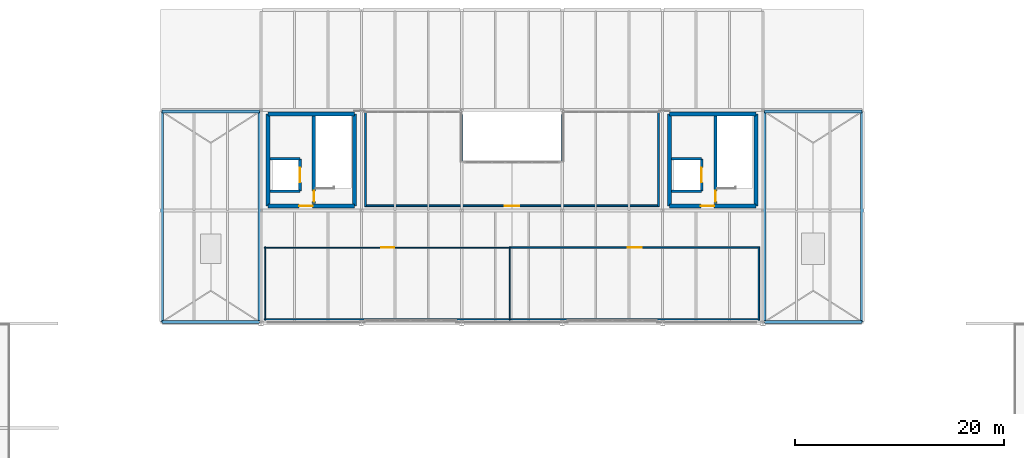
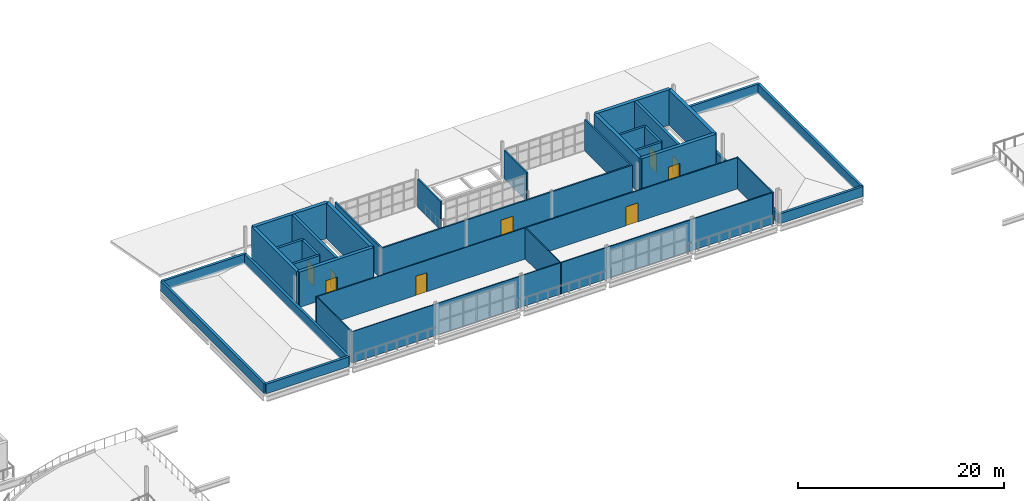
# One storey, part 46 of 58: 36 walls, 9 doors, 9 openings.
"""IFC4 building model written with IfcOpenShell, lengths in metres."""

from ifc_helpers import new_model, si_unit, direction, frame, frame_2d, origin, place, context, subcontext, project, spatial, rectangle, extrude, material, layer, layer_set, type_object, element, fill, save


model = new_model("IFC4")

# Units and contexts
model_context = context("Model", 3, precision=1e-05, world=origin(), true_north=direction((0.0, 1.0)))
body_context = subcontext(model_context, "Body", "Model", "MODEL_VIEW")
ifc_project = project(units=[si_unit("LENGTHUNIT", "METRE"), si_unit("AREAUNIT", "SQUARE_METRE"), si_unit("VOLUMEUNIT", "CUBIC_METRE"), si_unit("PLANEANGLEUNIT", "RADIAN"), si_unit("MASSUNIT", "GRAM", prefix="KILO")], contexts=[model_context])

# Site, building, storey
site_placement = place(None, origin())
site = spatial("IfcSite", under=ifc_project, at=site_placement, CompositionType="ELEMENT")
building_placement = place(site_placement, origin())
building = spatial("IfcBuilding", under=site, at=building_placement, Name="Yeouljin Market Hall", CompositionType="ELEMENT")
storey_placement = place(building_placement, frame((0.0, 0.0, 10.800048828125)))
storey = spatial("IfcBuildingStorey", under=building, at=storey_placement, Name="L02", CompositionType="ELEMENT", Elevation=10.800048828125)

# Wall, opening, door
ifc_material_1 = material(Name="Gypsum Board Acoustic Partition")
ifc_layer_1 = layer(ifc_material_1, 0.169921875)
ifc_layer_set_1 = layer_set([ifc_layer_1], Name="Gypsum Board Acoustic Partition")
wall_type_1 = type_object("IfcWallType", Name="Part_Acoustic_170", PredefinedType="PARTITIONING", material=ifc_layer_set_1)
wall_1_placement = place(storey_placement, frame((74.1201171875, 89.25, 0.0), z_axis=(0.0, 0.0, 1.0), x_axis=(1.0, 0.0, 0.0)))
wall_1 = element("IfcWall", 1, at=wall_1_placement, inside=storey, type_object=wall_type_1, Name="Interior partition PART-L02-0137", PredefinedType="PARTITIONING", context=body_context, shape_type="SweptSolid", body=[
    extrude(rectangle(XDim=28.159912109375, YDim=0.169921875, at=frame_2d((14.080078125, 0.0))), origin(), (0.0, 0.0, 1.0), 3.719970703125),
])
opening_1_placement = place(wall_1_placement, frame((13.389892578125, 0.0, 0.0)))
opening_1 = element("IfcOpeningElement", 2, at=opening_1_placement, cuts=wall_1, Name="Opening D-L02-043", PredefinedType="OPENING", context=body_context, shape_type="SweptSolid", body=[
    extrude(rectangle(XDim=1.3798828125, YDim=2.360107421875, at=frame_2d((0.68994140625, 1.18017578125))), frame((0.0, 0.094970703125, 0.0), z_axis=(0.0, -1.0, 0.0), x_axis=(1.0, 0.0, 0.0)), (0.0, 0.0, 1.0), 0.18994140625),
])
ifc_material_2 = material(Name="Acoustic Timber Veneer", Category="wood")
door_type_1 = type_object("IfcDoorType", Name="DT-ID138T", OperationType="NOTDEFINED", PredefinedType="DOOR", material=ifc_material_2)
door_1_placement = place(opening_1_placement, origin())
door_1 = element("IfcDoor", 3, at=door_1_placement, inside=storey, type_object=door_type_1, Name="Interior door D-L02-043 (Food Safety Inspectors Office)", OperationType="SINGLE_SWING_LEFT", OverallHeight=2.360107421875, OverallWidth=1.3798828125, PredefinedType="DOOR", context=body_context, shape_type="SweptSolid", body=[
    extrude(rectangle(XDim=1.3798828125, YDim=2.360107421875, at=frame_2d((0.68994140625, 1.18017578125))), frame((0.0, 0.02490234375, 0.0), z_axis=(0.0, -1.0, 0.0), x_axis=(1.0, 0.0, 0.0)), (0.0, 0.0, 1.0), 0.050048828125),
])
fill(opening_1, door_1)

# Walls
for number, where, z_axis, x_axis, name in (
    (4, (74.199951171875, 98.199951171875, 0.0), (0.0, 0.0, 1.0), (0.0, -1.0, 0.0), "Interior partition PART-L02-0138"),
    (5, (102.199951171875, 89.169921875, 0.0), (0.0, 0.0, 1.0), (0.0, 1.0, 0.0), "Interior partition PART-L02-0139"),
):
    element("IfcWall", number, at=place(storey_placement, frame(where, z_axis=z_axis, x_axis=x_axis)), inside=storey, type_object=wall_type_1, Name=name, PredefinedType="PARTITIONING", context=body_context, shape_type="SweptSolid", body=[
        extrude(rectangle(XDim=9.030029296875, YDim=0.169921875, at=frame_2d((4.51513671875, 0.0))), origin(), (0.0, 0.0, 1.0), 3.719970703125),
    ])
wall_2_placement = place(storey_placement, frame((83.360595703125, 93.565673828125, 0.0), z_axis=(0.0, 0.0, 1.0), x_axis=(-0.00011061335, 0.999999993882, 0.0)))
element("IfcWall", 6, at=wall_2_placement, inside=storey, type_object=wall_type_1, Name="Interior partition PART-L02-0140", PredefinedType="PARTITIONING", context=body_context, shape_type="SweptSolid", body=[
    extrude(rectangle(XDim=4.414306640625, YDim=0.169921875, at=frame_2d((2.20703125, 0.0))), origin(), (0.0, 0.0, 1.0), 3.39990234375),
])
wall_3_placement = place(storey_placement, frame((93.0400390625, 97.97998046875, 0.0), z_axis=(0.0, 0.0, 1.0), x_axis=(0.0, -1.0, 0.0)))
element("IfcWall", 7, at=wall_3_placement, inside=storey, type_object=wall_type_1, Name="Interior partition PART-L02-0141", PredefinedType="PARTITIONING", context=body_context, shape_type="SweptSolid", body=[
    extrude(rectangle(XDim=4.405029296875, YDim=0.169921875, at=frame_2d((2.20263671875, 0.0))), origin(), (0.0, 0.0, 1.0), 3.39990234375),
])

# Wall, opening, door
ifc_material_3 = material(Name="Gypsum Board Partition")
ifc_layer_2 = layer(ifc_material_3, 0.110107421875)
ifc_layer_set_2 = layer_set([ifc_layer_2], Name="Gypsum Board Partition")
wall_type_2 = type_object("IfcWallType", Name="Part_Office_110", PredefinedType="PARTITIONING", material=ifc_layer_set_2)
wall_4_placement = place(storey_placement, frame((88.080078125, 85.25, 0.0), z_axis=(0.0, 0.0, 1.0), x_axis=(-1.0, 0.0, 0.0)))
wall_4 = element("IfcWall", 8, at=wall_4_placement, inside=storey, type_object=wall_type_2, Name="Interior partition PART-L02-0130", PredefinedType="PARTITIONING", context=body_context, shape_type="SweptSolid", body=[
    extrude(rectangle(XDim=23.56005859375, YDim=0.110107421875, at=frame_2d((11.780029296875, 0.0))), origin(), (0.0, 0.0, 1.0), 3.719970703125),
])
opening_2_placement = place(wall_4_placement, frame((11.159912109375, 0.0, 0.0)))
opening_2 = element("IfcOpeningElement", 9, at=opening_2_placement, cuts=wall_4, Name="Opening D-L02-041", PredefinedType="OPENING", context=body_context, shape_type="SweptSolid", body=[
    extrude(rectangle(XDim=1.239990234375, YDim=2.260009765625, at=frame_2d((0.6201171875, 1.1298828125))), frame((0.0, 0.06494140625, 0.0), z_axis=(0.0, -1.0, 0.0), x_axis=(1.0, 0.0, 0.0)), (0.0, 0.0, 1.0), 0.130126953125),
])
ifc_material_4 = material(Name="Painted Fire-Rated Steel", Category="steel")
door_type_2 = type_object("IfcDoorType", Name="DT-FD124M", OperationType="NOTDEFINED", PredefinedType="DOOR", material=ifc_material_4)
door_2_placement = place(opening_2_placement, origin())
door_2 = element("IfcDoor", 10, at=door_2_placement, inside=storey, type_object=door_type_2, Name="Interior door D-L02-041 (Food Hygiene Laboratory)", OperationType="SINGLE_SWING_LEFT", OverallHeight=2.260009765625, OverallWidth=1.239990234375, PredefinedType="DOOR", context=body_context, shape_type="SweptSolid", body=[
    extrude(rectangle(XDim=1.239990234375, YDim=2.260009765625, at=frame_2d((0.6201171875, 1.1298828125))), frame((0.0, 0.02490234375, 0.0), z_axis=(0.0, -1.0, 0.0), x_axis=(1.0, 0.0, 0.0)), (0.0, 0.0, 1.0), 0.050048828125),
])
fill(opening_2, door_2)

# Walls
for number, where, z_axis, x_axis, name in (
    (11, (88.0, 78.320068359375, 0.0), (0.0, 0.0, 1.0), (0.0, 1.0, 0.0), "Interior partition PART-L02-0131"),
    (12, (64.60009765625, 85.330078125, 0.0), (0.0, 0.0, 1.0), (0.0, -1.0, 0.0), "Interior partition PART-L02-0132"),
):
    element("IfcWall", number, at=place(storey_placement, frame(where, z_axis=z_axis, x_axis=x_axis)), inside=storey, type_object=wall_type_2, Name=name, PredefinedType="PARTITIONING", context=body_context, shape_type="SweptSolid", body=[
        extrude(rectangle(XDim=7.010009765625, YDim=0.110107421875, at=frame_2d((3.5048828125, 0.0))), origin(), (0.0, 0.0, 1.0), 3.719970703125),
    ])
wall_5_placement = place(storey_placement, frame((64.52001953125, 78.39990234375, 0.0), z_axis=(0.0, 0.0, 1.0), x_axis=(1.0, 0.0, 0.0)))
element("IfcWall", 13, at=wall_5_placement, inside=storey, type_object=wall_type_2, Name="Interior partition PART-L02-0133", PredefinedType="PARTITIONING", context=body_context, shape_type="SweptSolid", body=[
    extrude(rectangle(XDim=23.56005859375, YDim=0.110107421875, at=frame_2d((11.780029296875, 0.0))), origin(), (0.0, 0.0, 1.0), 3.719970703125),
])

# Wall, opening, door
ifc_material_5 = material(Name="Moisture-Resistant Gypsum Partition")
ifc_layer_3 = layer(ifc_material_5, 0.1298828125)
ifc_layer_set_3 = layer_set([ifc_layer_3], Name="Moisture-Resistant Gypsum Partition")
wall_type_3 = type_object("IfcWallType", Name="Part_Sanitary_130", PredefinedType="PARTITIONING", material=ifc_layer_set_3)
wall_6_placement = place(storey_placement, frame((111.8798828125, 85.25, 0.0), z_axis=(0.0, 0.0, 1.0), x_axis=(-1.0, 0.0, 0.0)))
wall_6 = element("IfcWall", 14, at=wall_6_placement, inside=storey, type_object=wall_type_3, Name="Interior partition PART-L02-0134", PredefinedType="PARTITIONING", context=body_context, shape_type="SweptSolid", body=[
    extrude(rectangle(XDim=23.8798828125, YDim=0.1298828125, at=frame_2d((11.93994140625, 0.0))), origin(), (0.0, 0.0, 1.0), 3.719970703125),
])
opening_3_placement = place(wall_6_placement, frame((11.27001953125, 0.0, 0.0)))
opening_3 = element("IfcOpeningElement", 15, at=opening_3_placement, cuts=wall_6, Name="Opening D-L02-042", PredefinedType="OPENING", context=body_context, shape_type="SweptSolid", body=[
    extrude(rectangle(XDim=1.340087890625, YDim=2.260009765625, at=frame_2d((0.669921875, 1.1298828125))), frame((0.0, 0.074951171875, 0.0), z_axis=(0.0, -1.0, 0.0), x_axis=(1.0, 0.0, 0.0)), (0.0, 0.0, 1.0), 0.14990234375),
])
ifc_material_6 = material(Name="Painted Fire-Rated Steel", Category="steel")
door_type_3 = type_object("IfcDoorType", Name="DT-FD134M", OperationType="NOTDEFINED", PredefinedType="DOOR", material=ifc_material_6)
door_3_placement = place(opening_3_placement, origin())
door_3 = element("IfcDoor", 16, at=door_3_placement, inside=storey, type_object=door_type_3, Name="Interior door D-L02-042 (Microbiology Inspection Laboratory)", OperationType="SINGLE_SWING_RIGHT", OverallHeight=2.260009765625, OverallWidth=1.340087890625, PredefinedType="DOOR", context=body_context, shape_type="SweptSolid", body=[
    extrude(rectangle(XDim=1.340087890625, YDim=2.260009765625, at=frame_2d((0.669921875, 1.1298828125))), frame((0.0, 0.02490234375, 0.0), z_axis=(0.0, -1.0, 0.0), x_axis=(1.0, 0.0, 0.0)), (0.0, 0.0, 1.0), 0.050048828125),
])
fill(opening_3, door_3)

# Walls
wall_7_placement = place(storey_placement, frame((111.800048828125, 78.320068359375, 0.0), z_axis=(0.0, 0.0, 1.0), x_axis=(0.0, 1.0, 0.0)))
element("IfcWall", 17, at=wall_7_placement, inside=storey, type_object=wall_type_3, Name="Interior partition PART-L02-0135", PredefinedType="PARTITIONING", context=body_context, shape_type="SweptSolid", body=[
    extrude(rectangle(XDim=7.010009765625, YDim=0.1298828125, at=frame_2d((3.5048828125, 0.0))), origin(), (0.0, 0.0, 1.0), 3.719970703125),
])
wall_8_placement = place(storey_placement, frame((88.0, 78.39990234375, 0.0), z_axis=(0.0, 0.0, 1.0), x_axis=(1.0, 0.0, 0.0)))
element("IfcWall", 18, at=wall_8_placement, inside=storey, type_object=wall_type_3, Name="Interior partition PART-L02-0136", PredefinedType="PARTITIONING", context=body_context, shape_type="SweptSolid", body=[
    extrude(rectangle(XDim=23.8798828125, YDim=0.1298828125, at=frame_2d((11.93994140625, 0.0))), origin(), (0.0, 0.0, 1.0), 3.719970703125),
])

# Wall, opening, door
ifc_material_7 = material(Name="Concrete C35/45", Category="concrete")
ifc_layer_4 = layer(ifc_material_7, 0.260009765625)
ifc_layer_set_4 = layer_set([ifc_layer_4], Name="Concrete C35/45")
wall_type_4 = type_object("IfcWallType", Name="Wall_Compartment_260", PredefinedType="SHEAR", material=ifc_layer_set_4)
wall_9_placement = place(storey_placement, frame((67.929931640625, 90.64990234375, 0.0), z_axis=(0.0, 0.0, 1.0), x_axis=(0.0, 1.0, 0.0)))
wall_9 = element("IfcWall", 19, at=wall_9_placement, inside=storey, type_object=wall_type_4, Name="Lift LG-01 hoistway front wall (L02)", PredefinedType="SHEAR", context=body_context, shape_type="SweptSolid", body=[
    extrude(rectangle(XDim=3.10009765625, YDim=0.260009765625, at=frame_2d((1.550048828125, 0.0))), origin(), (0.0, 0.0, 1.0), 4.199951171875),
])
opening_4_placement = place(wall_9_placement, frame((0.85009765625, 0.0, 0.0)))
opening_4 = element("IfcOpeningElement", 20, at=opening_4_placement, cuts=wall_9, Name="Opening LD-LG-01-L02", PredefinedType="OPENING", context=body_context, shape_type="SweptSolid", body=[
    extrude(rectangle(XDim=1.39990234375, YDim=2.25, at=frame_2d((0.699951171875, 1.125))), frame((0.0, 0.139892578125, 0.0), z_axis=(0.0, -1.0, 0.0), x_axis=(1.0, 0.0, 0.0)), (0.0, 0.0, 1.0), 0.280029296875),
])
ifc_material_8 = material(Name="Brushed Stainless Steel", Category="steel")
door_type_4 = type_object("IfcDoorType", Name="LD-140", OperationType="SLIDING_TO_RIGHT", PredefinedType="DOOR", material=ifc_material_8)
door_4_placement = place(opening_4_placement, origin())
door_4 = element("IfcDoor", 21, at=door_4_placement, inside=storey, type_object=door_type_4, Name="Lift landing sliding door LD-LG-01-L02", OperationType="SLIDING_TO_LEFT", OverallHeight=2.25, OverallWidth=1.39990234375, PredefinedType="DOOR", context=body_context, shape_type="SweptSolid", body=[
    extrude(rectangle(XDim=1.39990234375, YDim=2.25, at=frame_2d((0.699951171875, 1.125))), frame((0.0, 0.02490234375, 0.0), z_axis=(0.0, -1.0, 0.0), x_axis=(1.0, 0.0, 0.0)), (0.0, 0.0, 1.0), 0.050048828125),
])
fill(opening_4, door_4)

# Walls
for number, where, z_axis, x_axis, name in (
    (22, (65.050048828125, 90.64990234375, 0.0), (0.0, 0.0, 1.0), (1.0, 0.0, 0.0), "Lift LG-01 shaft cheek wall S (L02)"),
    (23, (65.050048828125, 93.75, 0.0), (0.0, 0.0, 1.0), (1.0, 0.0, 0.0), "Lift LG-01 shaft cheek wall N (L02)"),
):
    element("IfcWall", number, at=place(storey_placement, frame(where, z_axis=z_axis, x_axis=x_axis)), inside=storey, type_object=wall_type_4, Name=name, PredefinedType="SHEAR", context=body_context, shape_type="SweptSolid", body=[
        extrude(rectangle(XDim=2.8798828125, YDim=0.260009765625, at=frame_2d((1.43994140625, 0.0))), origin(), (0.0, 0.0, 1.0), 4.199951171875),
    ])

# Wall, opening, door
wall_10_placement = place(storey_placement, frame((106.330078125, 90.64990234375, 0.0), z_axis=(0.0, 0.0, 1.0), x_axis=(0.0, 1.0, 0.0)))
wall_10 = element("IfcWall", 24, at=wall_10_placement, inside=storey, type_object=wall_type_4, Name="Lift LG-02 hoistway front wall (L02)", PredefinedType="SHEAR", context=body_context, shape_type="SweptSolid", body=[
    extrude(rectangle(XDim=3.10009765625, YDim=0.260009765625, at=frame_2d((1.550048828125, 0.0))), origin(), (0.0, 0.0, 1.0), 4.199951171875),
])
opening_5_placement = place(wall_10_placement, frame((0.85009765625, 0.0, 0.0)))
opening_5 = element("IfcOpeningElement", 25, at=opening_5_placement, cuts=wall_10, Name="Opening LD-LG-02-L02", PredefinedType="OPENING", context=body_context, shape_type="SweptSolid", body=[
    extrude(rectangle(XDim=1.39990234375, YDim=2.25, at=frame_2d((0.699951171875, 1.125))), frame((0.0, 0.139892578125, 0.0), z_axis=(0.0, -1.0, 0.0), x_axis=(1.0, 0.0, 0.0)), (0.0, 0.0, 1.0), 0.280029296875),
])
door_5_placement = place(opening_5_placement, origin())
door_5 = element("IfcDoor", 26, at=door_5_placement, inside=storey, type_object=door_type_4, Name="Lift landing sliding door LD-LG-02-L02", OperationType="SLIDING_TO_RIGHT", OverallHeight=2.25, OverallWidth=1.39990234375, PredefinedType="DOOR", context=body_context, shape_type="SweptSolid", body=[
    extrude(rectangle(XDim=1.39990234375, YDim=2.25, at=frame_2d((0.699951171875, 1.125))), frame((0.0, 0.02490234375, 0.0), z_axis=(0.0, -1.0, 0.0), x_axis=(1.0, 0.0, 0.0)), (0.0, 0.0, 1.0), 0.050048828125),
])
fill(opening_5, door_5)

# Walls
for number, where, z_axis, x_axis, name in (
    (27, (103.449951171875, 90.64990234375, 0.0), (0.0, 0.0, 1.0), (1.0, 0.0, 0.0), "Lift LG-02 shaft cheek wall S (L02)"),
    (28, (103.449951171875, 93.75, 0.0), (0.0, 0.0, 1.0), (1.0, 0.0, 0.0), "Lift LG-02 shaft cheek wall N (L02)"),
):
    element("IfcWall", number, at=place(storey_placement, frame(where, z_axis=z_axis, x_axis=x_axis)), inside=storey, type_object=wall_type_4, Name=name, PredefinedType="SHEAR", context=body_context, shape_type="SweptSolid", body=[
        extrude(rectangle(XDim=2.880126953125, YDim=0.260009765625, at=frame_2d((1.43994140625, 0.0))), origin(), (0.0, 0.0, 1.0), 4.199951171875),
    ])

# Wall, opening, door
ifc_material_9 = material(Name="Concrete C35/45", Category="concrete")
ifc_layer_5 = layer(ifc_material_9, 0.3798828125)
ifc_layer_set_5 = layer_set([ifc_layer_5], Name="Concrete C35/45")
wall_type_5 = type_object("IfcWallType", Name="Wall_CoreShear_380", PredefinedType="SHEAR", material=ifc_layer_set_5)
wall_11_placement = place(storey_placement, frame((64.85009765625, 89.25, 0.0), z_axis=(0.0, 0.0, 1.0), x_axis=(1.0, 0.0, 0.0)))
wall_11 = element("IfcWall", 29, at=wall_11_placement, inside=storey, type_object=wall_type_5, Name="Core C5 south shear wall (L02)", PredefinedType="SHEAR", context=body_context, shape_type="SweptSolid", body=[
    extrude(rectangle(XDim=8.2998046875, YDim=0.3798828125, at=frame_2d((4.14990234375, 0.0))), origin(), (0.0, 0.0, 1.0), 4.199951171875),
])
opening_6_placement = place(wall_11_placement, frame((3.0, 0.0, 0.0)))
opening_6 = element("IfcOpeningElement", 30, at=opening_6_placement, cuts=wall_11, Name="Opening FD-C5-L02-01", PredefinedType="OPENING", context=body_context, shape_type="SweptSolid", body=[
    extrude(rectangle(XDim=1.280029296875, YDim=2.14990234375, at=frame_2d((0.64013671875, 1.074951171875))), frame((0.0, 0.199951171875, 0.0), z_axis=(0.0, -1.0, 0.0), x_axis=(1.0, 0.0, 0.0)), (0.0, 0.0, 1.0), 0.39990234375),
])
ifc_material_10 = material(Name="Painted Fire-Rated Steel", Category="steel")
door_type_5 = type_object("IfcDoorType", Name="DT-FD128", OperationType="NOTDEFINED", PredefinedType="DOOR", material=ifc_material_10)
door_6_placement = place(opening_6_placement, origin())
door_6 = element("IfcDoor", 31, at=door_6_placement, inside=storey, type_object=door_type_5, Name="Core C5 lobby fire door (L02)", OperationType="SINGLE_SWING_LEFT", OverallHeight=2.14990234375, OverallWidth=1.280029296875, PredefinedType="DOOR", context=body_context, shape_type="SweptSolid", body=[
    extrude(rectangle(XDim=1.280029296875, YDim=2.14990234375, at=frame_2d((0.64013671875, 1.074951171875))), frame((0.0, 0.02490234375, 0.0), z_axis=(0.0, -1.0, 0.0), x_axis=(1.0, 0.0, 0.0)), (0.0, 0.0, 1.0), 0.050048828125),
])
fill(opening_6, door_6)

# Walls
wall_12_placement = place(storey_placement, frame((73.14990234375, 98.050048828125, 0.0), z_axis=(0.0, 0.0, 1.0), x_axis=(-1.0, 0.0, 0.0)))
element("IfcWall", 32, at=wall_12_placement, inside=storey, type_object=wall_type_5, Name="Core C5 north shear wall (L02)", PredefinedType="SHEAR", context=body_context, shape_type="SweptSolid", body=[
    extrude(rectangle(XDim=8.2998046875, YDim=0.3798828125, at=frame_2d((4.14990234375, 0.0))), origin(), (0.0, 0.0, 1.0), 4.199951171875),
])
for number, where, z_axis, x_axis, name in (
    (33, (64.85009765625, 98.050048828125, 0.0), (0.0, 0.0, 1.0), (0.0, -1.0, 0.0), "Core C5 west shear wall (L02)"),
    (34, (73.14990234375, 89.25, 0.0), (0.0, 0.0, 1.0), (0.0, 1.0, 0.0), "Core C5 east shear wall (L02)"),
):
    element("IfcWall", number, at=place(storey_placement, frame(where, z_axis=z_axis, x_axis=x_axis)), inside=storey, type_object=wall_type_5, Name=name, PredefinedType="SHEAR", context=body_context, shape_type="SweptSolid", body=[
        extrude(rectangle(XDim=8.800048828125, YDim=0.3798828125, at=frame_2d((4.39990234375, 0.0))), origin(), (0.0, 0.0, 1.0), 4.199951171875),
    ])

# Wall, opening, door
wall_13_placement = place(storey_placement, frame((103.25, 89.25, 0.0), z_axis=(0.0, 0.0, 1.0), x_axis=(1.0, 0.0, 0.0)))
wall_13 = element("IfcWall", 35, at=wall_13_placement, inside=storey, type_object=wall_type_5, Name="Core C6 south shear wall (L02)", PredefinedType="SHEAR", context=body_context, shape_type="SweptSolid", body=[
    extrude(rectangle(XDim=8.300048828125, YDim=0.3798828125, at=frame_2d((4.14990234375, 0.0))), origin(), (0.0, 0.0, 1.0), 4.199951171875),
])
opening_7_placement = place(wall_13_placement, frame((3.0, 0.0, 0.0)))
opening_7 = element("IfcOpeningElement", 36, at=opening_7_placement, cuts=wall_13, Name="Opening FD-C6-L02-01", PredefinedType="OPENING", context=body_context, shape_type="SweptSolid", body=[
    extrude(rectangle(XDim=1.280029296875, YDim=2.14990234375, at=frame_2d((0.64013671875, 1.074951171875))), frame((0.0, 0.199951171875, 0.0), z_axis=(0.0, -1.0, 0.0), x_axis=(1.0, 0.0, 0.0)), (0.0, 0.0, 1.0), 0.39990234375),
])
door_7_placement = place(opening_7_placement, origin())
door_7 = element("IfcDoor", 37, at=door_7_placement, inside=storey, type_object=door_type_5, Name="Core C6 lobby fire door (L02)", OperationType="SINGLE_SWING_LEFT", OverallHeight=2.14990234375, OverallWidth=1.280029296875, PredefinedType="DOOR", context=body_context, shape_type="SweptSolid", body=[
    extrude(rectangle(XDim=1.280029296875, YDim=2.14990234375, at=frame_2d((0.64013671875, 1.074951171875))), frame((0.0, 0.02490234375, 0.0), z_axis=(0.0, -1.0, 0.0), x_axis=(1.0, 0.0, 0.0)), (0.0, 0.0, 1.0), 0.050048828125),
])
fill(opening_7, door_7)

# Walls
wall_14_placement = place(storey_placement, frame((111.550048828125, 98.050048828125, 0.0), z_axis=(0.0, 0.0, 1.0), x_axis=(-1.0, 0.0, 0.0)))
element("IfcWall", 38, at=wall_14_placement, inside=storey, type_object=wall_type_5, Name="Core C6 north shear wall (L02)", PredefinedType="SHEAR", context=body_context, shape_type="SweptSolid", body=[
    extrude(rectangle(XDim=8.300048828125, YDim=0.3798828125, at=frame_2d((4.14990234375, 0.0))), origin(), (0.0, 0.0, 1.0), 4.199951171875),
])
for number, where, z_axis, x_axis, name in (
    (39, (103.25, 98.050048828125, 0.0), (0.0, 0.0, 1.0), (0.0, -1.0, 0.0), "Core C6 west shear wall (L02)"),
    (40, (111.550048828125, 89.25, 0.0), (0.0, 0.0, 1.0), (0.0, 1.0, 0.0), "Core C6 east shear wall (L02)"),
):
    element("IfcWall", number, at=place(storey_placement, frame(where, z_axis=z_axis, x_axis=x_axis)), inside=storey, type_object=wall_type_5, Name=name, PredefinedType="SHEAR", context=body_context, shape_type="SweptSolid", body=[
        extrude(rectangle(XDim=8.800048828125, YDim=0.3798828125, at=frame_2d((4.39990234375, 0.0))), origin(), (0.0, 0.0, 1.0), 4.199951171875),
    ])
ifc_material_11 = material(Name="Clinker Brick Masonry F2-S2", Category="masonry")
ifc_layer_6 = layer(ifc_material_11, 0.280029296875)
ifc_layer_set_6 = layer_set([ifc_layer_6], Name="Clinker Brick Masonry F2-S2")
wall_type_6 = type_object("IfcWallType", Name="Wall_Parapet_Clinker_280", PredefinedType="PARAPET", material=ifc_layer_set_6)
wall_15_placement = place(storey_placement, frame((54.739990234375, 78.139892578125, 0.010009765625), z_axis=(0.0, 0.0, 1.0), x_axis=(1.0, 0.0, 0.0)))
element("IfcWall", 41, at=wall_15_placement, inside=storey, type_object=wall_type_6, Name="Roof parapet RSLB-V4-L02W-1", PredefinedType="PARAPET", context=body_context, shape_type="SweptSolid", body=[
    extrude(rectangle(XDim=9.320068359375, YDim=0.280029296875, at=frame_2d((4.66015625, 0.0))), origin(), (0.0, 0.0, 1.0), 1.14990234375),
])
wall_16_placement = place(storey_placement, frame((64.06005859375, 78.139892578125, 0.010009765625), z_axis=(0.0, 0.0, 1.0), x_axis=(0.0, 1.0, 0.0)))
element("IfcWall", 42, at=wall_16_placement, inside=storey, type_object=wall_type_6, Name="Roof parapet RSLB-V4-L02W-2", PredefinedType="PARAPET", context=body_context, shape_type="SweptSolid", body=[
    extrude(rectangle(XDim=20.1201171875, YDim=0.280029296875, at=frame_2d((10.06005859375, 0.0))), origin(), (0.0, 0.0, 1.0), 1.14990234375),
])
wall_17_placement = place(storey_placement, frame((64.06005859375, 98.260009765625, 0.010009765625), z_axis=(0.0, 0.0, 1.0), x_axis=(-1.0, 0.0, 0.0)))
element("IfcWall", 43, at=wall_17_placement, inside=storey, type_object=wall_type_6, Name="Roof parapet RSLB-V4-L02W-3", PredefinedType="PARAPET", context=body_context, shape_type="SweptSolid", body=[
    extrude(rectangle(XDim=9.320068359375, YDim=0.280029296875, at=frame_2d((4.66015625, 0.0))), origin(), (0.0, 0.0, 1.0), 1.14990234375),
])
wall_18_placement = place(storey_placement, frame((54.739990234375, 98.260009765625, 0.010009765625), z_axis=(0.0, 0.0, 1.0), x_axis=(0.0, -1.0, 0.0)))
element("IfcWall", 44, at=wall_18_placement, inside=storey, type_object=wall_type_6, Name="Roof parapet RSLB-V4-L02W-4", PredefinedType="PARAPET", context=body_context, shape_type="SweptSolid", body=[
    extrude(rectangle(XDim=20.1201171875, YDim=0.280029296875, at=frame_2d((10.06005859375, 0.0))), origin(), (0.0, 0.0, 1.0), 1.14990234375),
])
wall_19_placement = place(storey_placement, frame((112.340087890625, 78.139892578125, 0.010009765625), z_axis=(0.0, 0.0, 1.0), x_axis=(1.0, 0.0, 0.0)))
element("IfcWall", 45, at=wall_19_placement, inside=storey, type_object=wall_type_6, Name="Roof parapet RSLB-V4-L02E-1", PredefinedType="PARAPET", context=body_context, shape_type="SweptSolid", body=[
    extrude(rectangle(XDim=9.31982421875, YDim=0.280029296875, at=frame_2d((4.659912109375, 0.0))), origin(), (0.0, 0.0, 1.0), 1.14990234375),
])
wall_20_placement = place(storey_placement, frame((121.659912109375, 78.139892578125, 0.010009765625), z_axis=(0.0, 0.0, 1.0), x_axis=(0.0, 1.0, 0.0)))
element("IfcWall", 46, at=wall_20_placement, inside=storey, type_object=wall_type_6, Name="Roof parapet RSLB-V4-L02E-2", PredefinedType="PARAPET", context=body_context, shape_type="SweptSolid", body=[
    extrude(rectangle(XDim=20.1201171875, YDim=0.280029296875, at=frame_2d((10.06005859375, 0.0))), origin(), (0.0, 0.0, 1.0), 1.14990234375),
])
wall_21_placement = place(storey_placement, frame((121.659912109375, 98.260009765625, 0.010009765625), z_axis=(0.0, 0.0, 1.0), x_axis=(-1.0, 0.0, 0.0)))
element("IfcWall", 47, at=wall_21_placement, inside=storey, type_object=wall_type_6, Name="Roof parapet RSLB-V4-L02E-3", PredefinedType="PARAPET", context=body_context, shape_type="SweptSolid", body=[
    extrude(rectangle(XDim=9.31982421875, YDim=0.280029296875, at=frame_2d((4.659912109375, 0.0))), origin(), (0.0, 0.0, 1.0), 1.14990234375),
])
wall_22_placement = place(storey_placement, frame((112.340087890625, 98.260009765625, 0.010009765625), z_axis=(0.0, 0.0, 1.0), x_axis=(0.0, -1.0, 0.0)))
element("IfcWall", 48, at=wall_22_placement, inside=storey, type_object=wall_type_6, Name="Roof parapet RSLB-V4-L02E-4", PredefinedType="PARAPET", context=body_context, shape_type="SweptSolid", body=[
    extrude(rectangle(XDim=20.1201171875, YDim=0.280029296875, at=frame_2d((10.06005859375, 0.0))), origin(), (0.0, 0.0, 1.0), 1.14990234375),
])

# Wall, opening, door
ifc_material_12 = material(Name="Concrete C35/45", Category="concrete")
ifc_layer_7 = layer(ifc_material_12, 0.300048828125)
ifc_layer_set_7 = layer_set([ifc_layer_7], Name="Concrete C35/45")
wall_type_7 = type_object("IfcWallType", Name="Wall_ShaftShear_300", PredefinedType="SHEAR", material=ifc_layer_set_7)
wall_23_placement = place(storey_placement, frame((69.25, 89.449951171875, 0.0), z_axis=(0.0, 0.0, 1.0), x_axis=(0.0, 1.0, 0.0)))
wall_23 = element("IfcWall", 49, at=wall_23_placement, inside=storey, type_object=wall_type_7, Name="Core C5 stairwell divider wall (L02)", PredefinedType="SHEAR", context=body_context, shape_type="SweptSolid", body=[
    extrude(rectangle(XDim=8.400146484375, YDim=0.300048828125, at=frame_2d((4.2001953125, 0.0))), origin(), (0.0, 0.0, 1.0), 4.199951171875),
])
opening_8_placement = place(wall_23_placement, frame((0.199951171875, 0.0, 0.0)))
opening_8 = element("IfcOpeningElement", 50, at=opening_8_placement, cuts=wall_23, Name="Opening SD-C5-L02", PredefinedType="OPENING", context=body_context, shape_type="SweptSolid", body=[
    extrude(rectangle(XDim=1.02001953125, YDim=2.10009765625, at=frame_2d((0.510009765625, 1.050048828125))), frame((0.0, 0.159912109375, 0.0), z_axis=(0.0, -1.0, 0.0), x_axis=(1.0, 0.0, 0.0)), (0.0, 0.0, 1.0), 0.320068359375),
])
ifc_material_13 = material(Name="Painted Fire-Rated Steel", Category="steel")
door_type_6 = type_object("IfcDoorType", Name="DT-FD102", OperationType="NOTDEFINED", PredefinedType="DOOR", material=ifc_material_13)
door_8_placement = place(opening_8_placement, origin())
door_8 = element("IfcDoor", 51, at=door_8_placement, inside=storey, type_object=door_type_6, Name="Core C5 exit stair door (L02)", OperationType="SINGLE_SWING_RIGHT", OverallHeight=2.10009765625, OverallWidth=1.02001953125, PredefinedType="DOOR", context=body_context, shape_type="SweptSolid", body=[
    extrude(rectangle(XDim=1.02001953125, YDim=2.10009765625, at=frame_2d((0.510009765625, 1.050048828125))), frame((0.0, 0.02490234375, 0.0), z_axis=(0.0, -1.0, 0.0), x_axis=(1.0, 0.0, 0.0)), (0.0, 0.0, 1.0), 0.050048828125),
])
fill(opening_8, door_8)

wall_24_placement = place(storey_placement, frame((107.64990234375, 89.449951171875, 0.0), z_axis=(0.0, 0.0, 1.0), x_axis=(0.0, 1.0, 0.0)))
wall_24 = element("IfcWall", 52, at=wall_24_placement, inside=storey, type_object=wall_type_7, Name="Core C6 stairwell divider wall (L02)", PredefinedType="SHEAR", context=body_context, shape_type="SweptSolid", body=[
    extrude(rectangle(XDim=8.400146484375, YDim=0.300048828125, at=frame_2d((4.2001953125, 0.0))), origin(), (0.0, 0.0, 1.0), 4.199951171875),
])
opening_9_placement = place(wall_24_placement, frame((0.199951171875, 0.0, 0.0)))
opening_9 = element("IfcOpeningElement", 53, at=opening_9_placement, cuts=wall_24, Name="Opening SD-C6-L02", PredefinedType="OPENING", context=body_context, shape_type="SweptSolid", body=[
    extrude(rectangle(XDim=1.02001953125, YDim=2.10009765625, at=frame_2d((0.510009765625, 1.050048828125))), frame((0.0, 0.159912109375, 0.0), z_axis=(0.0, -1.0, 0.0), x_axis=(1.0, 0.0, 0.0)), (0.0, 0.0, 1.0), 0.320068359375),
])
door_9_placement = place(opening_9_placement, origin())
door_9 = element("IfcDoor", 54, at=door_9_placement, inside=storey, type_object=door_type_6, Name="Core C6 exit stair door (L02)", OperationType="SINGLE_SWING_RIGHT", OverallHeight=2.10009765625, OverallWidth=1.02001953125, PredefinedType="DOOR", context=body_context, shape_type="SweptSolid", body=[
    extrude(rectangle(XDim=1.02001953125, YDim=2.10009765625, at=frame_2d((0.510009765625, 1.050048828125))), frame((0.0, 0.02490234375, 0.0), z_axis=(0.0, -1.0, 0.0), x_axis=(1.0, 0.0, 0.0)), (0.0, 0.0, 1.0), 0.050048828125),
])
fill(opening_9, door_9)

save(model, "model.ifc")
